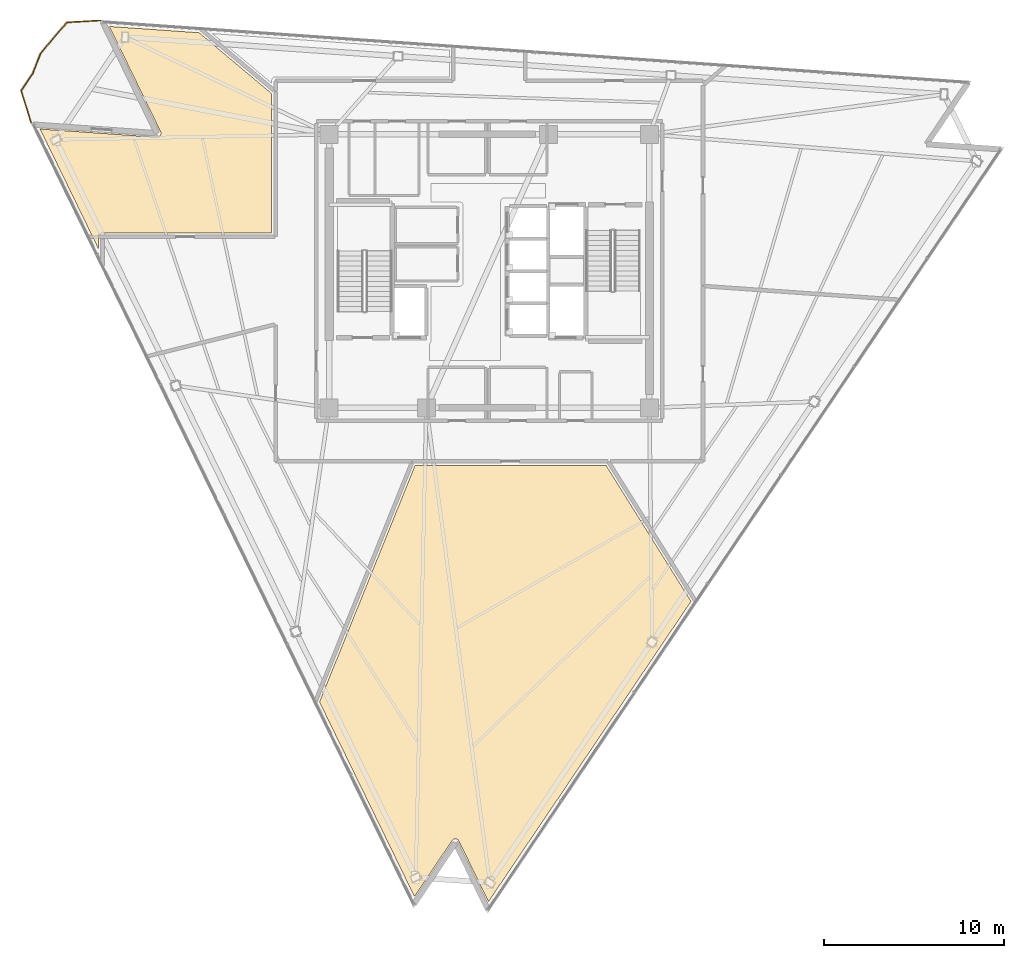
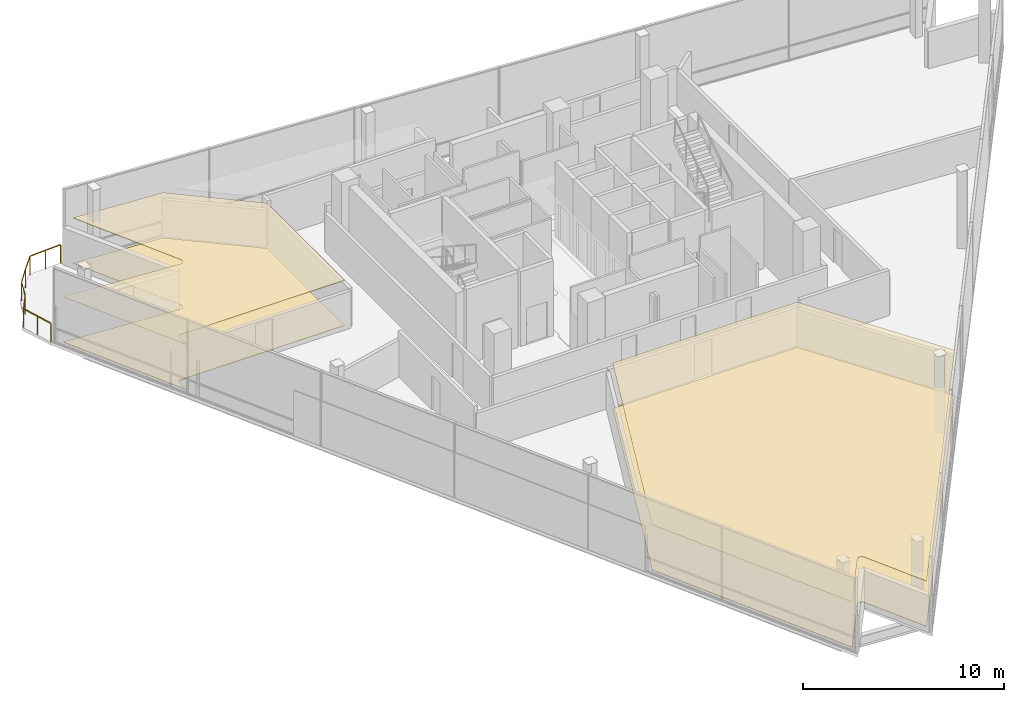
# One storey, part 12 of 13: 4 coverings, 1 railing.
"""IFC4 building model written with IfcOpenShell, lengths in metres."""

from ifc_helpers import new_model, si_unit, direction, frame, origin, origin_2d, place, context, subcontext, project, spatial, polyline, rectangle, outline, extrude, material, layer, layer_set, type_object, element, save


model = new_model("IFC4")

# Units and contexts
model_context = context("Model", 3, precision=1e-05, world=origin(), true_north=direction((0.0, 1.0)))
body_context = subcontext(model_context, "Body", "Model", "MODEL_VIEW")
ifc_project = project(units=[si_unit("LENGTHUNIT", "METRE"), si_unit("AREAUNIT", "SQUARE_METRE"), si_unit("VOLUMEUNIT", "CUBIC_METRE"), si_unit("PLANEANGLEUNIT", "RADIAN"), si_unit("MASSUNIT", "GRAM", prefix="KILO")], contexts=[model_context])

# Site, building, storey
site_placement = place(None, origin())
site = spatial("IfcSite", under=ifc_project, at=site_placement, CompositionType="ELEMENT")
building_placement = place(site_placement, origin())
building = spatial("IfcBuilding", under=site, at=building_placement, Name="Tharavind Bronze Gate", CompositionType="ELEMENT")
storey_placement = place(building_placement, frame((0.0, 0.0, 248.64990234375)))
storey = spatial("IfcBuildingStorey", under=building, at=storey_placement, Name="L64", CompositionType="ELEMENT", Elevation=248.64990234375)

# Coverings
ifc_material_1 = material(Name="Engineered Oak & Carpet Tile", Category="wood")
ifc_layer_1 = layer(ifc_material_1, 0.02490234375)
ifc_layer_set_1 = layer_set([ifc_layer_1], Name="Engineered Oak & Carpet Tile")
covering_type_1 = type_object("IfcCoveringType", Name="ENGINEERED TIMBER FLOORING", PredefinedType="FLOORING", material=ifc_layer_set_1)
covering_1_placement = place(storey_placement, origin())
element("IfcCovering", 1, at=covering_1_placement, inside=storey, type_object=covering_type_1, Name="L64-RM-03 floor finish", PredefinedType="FLOORING", context=body_context, shape_type="SweptSolid", body=[
    extrude(outline(polyline([(-21.719970703125, 1.226318359375), (-21.719970703125, 1.8994140625), (-21.7197265625, 1.91015625), (-21.7197265625, 1.910888671875), (-21.717529296875, 1.932373046875), (-21.71337890625, 1.953369140625), (-21.70703125, 1.97412109375), (-21.69873046875, 1.993896484375), (-21.688720703125, 2.01318359375), (-21.6767578125, 2.031005859375), (-21.6630859375, 2.047607421875), (-21.647705078125, 2.06298828125), (-21.631103515625, 2.07666015625), (-21.613037109375, 2.088623046875), (-21.593994140625, 2.098876953125), (-21.57421875, 2.107177734375), (-21.553466796875, 2.11328125), (-21.5322265625, 2.11767578125), (-21.5107421875, 2.11962890625), (-21.51025390625, 2.11962890625), (-21.49951171875, 2.1201171875), (-12.10009765625, 2.1201171875), (-12.10009765625, 9.865966796875), (-16.132080078125, 13.249267578125), (-21.125, 13.598388671875), (-18.2763671875, 7.7578125), (-18.27197265625, 7.747802734375), (-18.271728515625, 7.747314453125), (-18.263916015625, 7.726806640625), (-18.258544921875, 7.70556640625), (-18.255126953125, 7.683837890625), (-18.25390625, 7.661865234375), (-18.2548828125, 7.639892578125), (-18.258056640625, 7.618408203125), (-18.263427734375, 7.596923828125), (-18.270751953125, 7.576416015625), (-18.2802734375, 7.556640625), (-18.29150390625, 7.537841796875), (-18.3046875, 7.520263671875), (-18.319580078125, 7.504150390625), (-18.3359375, 7.489501953125), (-18.353759765625, 7.4765625), (-18.37255859375, 7.465576171875), (-18.392578125, 7.456298828125), (-18.413330078125, 7.449462890625), (-18.434814453125, 7.4443359375), (-18.456298828125, 7.44140625), (-18.478271484375, 7.44091796875), (-18.47900390625, 7.44091796875), (-18.489990234375, 7.44140625), (-24.972412109375, 7.894775390625), (-21.719970703125, 1.226318359375)])), origin(), (0.0, 0.0, 1.0), 0.025146484375),
])
covering_2_placement = place(storey_placement, origin())
element("IfcCovering", 2, at=covering_2_placement, inside=storey, type_object=covering_type_1, Name="L64-RM-05 floor finish", PredefinedType="FLOORING", context=body_context, shape_type="SweptSolid", body=[
    extrude(outline(polyline([(-4.16455078125, -34.767578125), (-2.069580078125, -31.66162109375), (-2.0634765625, -31.65283203125), (-2.06298828125, -31.65234375), (-2.049072265625, -31.635498046875), (-2.033447265625, -31.6201171875), (-2.016357421875, -31.606201171875), (-1.998046875, -31.59423828125), (-1.978515625, -31.584228515625), (-1.9580078125, -31.576171875), (-1.93701171875, -31.570068359375), (-1.91552734375, -31.566162109375), (-1.8935546875, -31.564453125), (-1.87158203125, -31.564697265625), (-1.849853515625, -31.5673828125), (-1.82861328125, -31.572265625), (-1.8076171875, -31.5791015625), (-1.78759765625, -31.587890625), (-1.7685546875, -31.598876953125), (-1.750732421875, -31.611572265625), (-1.734130859375, -31.6259765625), (-1.71923828125, -31.64208984375), (-1.705810546875, -31.659423828125), (-1.6943359375, -31.677978515625), (-1.694091796875, -31.6787109375), (-1.68896484375, -31.688232421875), (-0.046630859375, -35.055419921875), (11.2138671875, -18.361083984375), (6.4892578125, -10.800048828125), (-4.126220703125, -10.800048828125), (-9.439697265625, -23.95166015625), (-4.16455078125, -34.767578125)])), origin(), (0.0, 0.0, 1.0), 0.025146484375),
])
ifc_material_2 = material(Name="Acoustic Gypsum Board", Category="gypsum")
ifc_layer_2 = layer(ifc_material_2, 0.030029296875)
ifc_layer_set_2 = layer_set([ifc_layer_2], Name="Acoustic Gypsum Board")
covering_type_2 = type_object("IfcCoveringType", Name="GYPSUM SUSPENDED CEILING", PredefinedType="CEILING", material=ifc_layer_set_2)
covering_3_placement = place(storey_placement, frame((0.0, 0.0, 2.75)))
element("IfcCovering", 3, at=covering_3_placement, inside=storey, type_object=covering_type_2, Name="L64-RM-03 suspended ceiling", PredefinedType="CEILING", context=body_context, shape_type="SweptSolid", body=[
    extrude(outline(polyline([(-21.719970703125, 1.226318359375), (-21.719970703125, 1.8994140625), (-21.7197265625, 1.91015625), (-21.7197265625, 1.910888671875), (-21.717529296875, 1.932373046875), (-21.71337890625, 1.953369140625), (-21.70703125, 1.97412109375), (-21.69873046875, 1.993896484375), (-21.688720703125, 2.01318359375), (-21.6767578125, 2.031005859375), (-21.6630859375, 2.047607421875), (-21.647705078125, 2.06298828125), (-21.631103515625, 2.07666015625), (-21.613037109375, 2.088623046875), (-21.593994140625, 2.098876953125), (-21.57421875, 2.107177734375), (-21.553466796875, 2.11328125), (-21.5322265625, 2.11767578125), (-21.5107421875, 2.11962890625), (-21.51025390625, 2.11962890625), (-21.49951171875, 2.1201171875), (-12.10009765625, 2.1201171875), (-12.10009765625, 9.865966796875), (-16.132080078125, 13.249267578125), (-21.125, 13.598388671875), (-18.2763671875, 7.7578125), (-18.27197265625, 7.747802734375), (-18.271728515625, 7.747314453125), (-18.263916015625, 7.726806640625), (-18.258544921875, 7.70556640625), (-18.255126953125, 7.683837890625), (-18.25390625, 7.661865234375), (-18.2548828125, 7.639892578125), (-18.258056640625, 7.618408203125), (-18.263427734375, 7.596923828125), (-18.270751953125, 7.576416015625), (-18.2802734375, 7.556640625), (-18.29150390625, 7.537841796875), (-18.3046875, 7.520263671875), (-18.319580078125, 7.504150390625), (-18.3359375, 7.489501953125), (-18.353759765625, 7.4765625), (-18.37255859375, 7.465576171875), (-18.392578125, 7.456298828125), (-18.413330078125, 7.449462890625), (-18.434814453125, 7.4443359375), (-18.456298828125, 7.44140625), (-18.478271484375, 7.44091796875), (-18.47900390625, 7.44091796875), (-18.489990234375, 7.44140625), (-24.972412109375, 7.894775390625), (-21.719970703125, 1.226318359375)])), origin(), (0.0, 0.0, 1.0), 0.03515625),
])
covering_4_placement = place(storey_placement, frame((0.0, 0.0, 2.75)))
element("IfcCovering", 4, at=covering_4_placement, inside=storey, type_object=covering_type_2, Name="L64-RM-05 suspended ceiling", PredefinedType="CEILING", context=body_context, shape_type="SweptSolid", body=[
    extrude(outline(polyline([(-4.16455078125, -34.767578125), (-2.069580078125, -31.66162109375), (-2.0634765625, -31.65283203125), (-2.06298828125, -31.65234375), (-2.049072265625, -31.635498046875), (-2.033447265625, -31.6201171875), (-2.016357421875, -31.606201171875), (-1.998046875, -31.59423828125), (-1.978515625, -31.584228515625), (-1.9580078125, -31.576171875), (-1.93701171875, -31.570068359375), (-1.91552734375, -31.566162109375), (-1.8935546875, -31.564453125), (-1.87158203125, -31.564697265625), (-1.849853515625, -31.5673828125), (-1.82861328125, -31.572265625), (-1.8076171875, -31.5791015625), (-1.78759765625, -31.587890625), (-1.7685546875, -31.598876953125), (-1.750732421875, -31.611572265625), (-1.734130859375, -31.6259765625), (-1.71923828125, -31.64208984375), (-1.705810546875, -31.659423828125), (-1.6943359375, -31.677978515625), (-1.694091796875, -31.6787109375), (-1.68896484375, -31.688232421875), (-0.046630859375, -35.055419921875), (11.2138671875, -18.361083984375), (6.4892578125, -10.800048828125), (-4.126220703125, -10.800048828125), (-9.439697265625, -23.95166015625), (-4.16455078125, -34.767578125)])), origin(), (0.0, 0.0, 1.0), 0.03515625),
])

# Railing
ifc_material_3 = material(Name="Bronze Cap & Laminated Glass", Category="glass")
railing_type = type_object("IfcRailingType", Name="TERRACE GLASS GUARD RAILING 1150", PredefinedType="GUARDRAIL", material=ifc_material_3)
railing_placement = place(storey_placement, frame((-25.4697265625, 8.230224609375, 0.0)))
element("IfcRailing", 5, at=railing_placement, inside=storey, type_object=railing_type, Name="L64 tree balcony guard railing", PredefinedType="GUARDRAIL", context=body_context, shape_type="SweptSolid", body=[
    extrude(rectangle(XDim=0.048095703125, YDim=0.048095703125, at=origin_2d()), frame((-0.009521484375, 0.030517578125, 1.1259765625), z_axis=(-0.294314517562, 0.955708619168, 0.0), x_axis=(-0.955708619168, -0.294314517562, 0.0)), (0.0, 0.0, 1.0), 1.8115234375),
    extrude(rectangle(XDim=0.048095703125, YDim=0.048095703125, at=origin_2d()), frame((-0.5341796875, 1.819091796875, 1.1259765625), z_axis=(0.559213151727, 0.829023914574, 0.0), x_axis=(-0.829023914574, 0.559213151727, 0.0)), (0.0, 0.0, 1.0), 1.08251953125),
    extrude(rectangle(XDim=0.048095703125, YDim=0.048095703125, at=origin_2d()), frame((0.1005859375, 2.772705078125, 1.1259765625), z_axis=(0.361885115159, 0.932222700553, 0.0), x_axis=(-0.932222700553, 0.361885115159, 0.0)), (0.0, 0.0, 1.0), 1.11181640625),
    extrude(rectangle(XDim=0.048095703125, YDim=0.048095703125, at=origin_2d()), frame((0.53515625, 3.86376953125, 1.1259765625), z_axis=(0.637324854119, 0.77059524416, 0.0), x_axis=(-0.77059524416, 0.637324854119, 0.0)), (0.0, 0.0, 1.0), 1.08837890625),
    extrude(rectangle(XDim=0.048095703125, YDim=0.048095703125, at=origin_2d()), frame((1.270263671875, 4.7509765625, 1.1259765625), z_axis=(0.660580286946, 0.750755409237, 0.0), x_axis=(-0.750755409237, 0.660580286946, 0.0)), (0.0, 0.0, 1.0), 1.092041015625),
    extrude(rectangle(XDim=0.048095703125, YDim=0.048095703125, at=origin_2d()), frame((2.044677734375, 5.596923828125, 1.1259765625), z_axis=(0.998250930511, 0.059119199371, 0.0), x_axis=(-0.059119199371, 0.998250930511, 0.0)), (0.0, 0.0, 1.0), 1.773681640625),
    extrude(rectangle(XDim=0.0400390625, YDim=0.0400390625, at=origin_2d()), origin(), (0.0, 0.0, 1.0), 1.097900390625),
    extrude(rectangle(XDim=0.0400390625, YDim=0.0400390625, at=origin_2d()), frame((-0.27587890625, 0.896240234375, 0.0)), (0.0, 0.0, 1.0), 1.097900390625),
    extrude(rectangle(XDim=0.0400390625, YDim=0.0400390625, at=origin_2d()), frame((-0.552001953125, 1.79248046875, 0.0)), (0.0, 0.0, 1.0), 1.097900390625),
    extrude(rectangle(XDim=0.0400390625, YDim=0.0400390625, at=origin_2d()), frame((0.089111328125, 2.742919921875, 0.0)), (0.0, 0.0, 1.0), 1.097900390625),
    extrude(rectangle(XDim=0.0400390625, YDim=0.0400390625, at=origin_2d()), frame((0.5146484375, 3.839111328125, 0.0)), (0.0, 0.0, 1.0), 1.097900390625),
    extrude(rectangle(XDim=0.0400390625, YDim=0.0400390625, at=origin_2d()), frame((1.2490234375, 4.72705078125, 0.0)), (0.0, 0.0, 1.0), 1.097900390625),
    extrude(rectangle(XDim=0.0400390625, YDim=0.0400390625, at=origin_2d()), frame((2.0126953125, 5.594970703125, 0.0)), (0.0, 0.0, 1.0), 1.097900390625),
    extrude(rectangle(XDim=0.0400390625, YDim=0.0400390625, at=origin_2d()), frame((2.929931640625, 5.6494140625, 0.0)), (0.0, 0.0, 1.0), 1.097900390625),
    extrude(rectangle(XDim=0.0400390625, YDim=0.0400390625, at=origin_2d()), frame((3.84716796875, 5.70361328125, 0.0)), (0.0, 0.0, 1.0), 1.097900390625),
])

save(model, "model.ifc")
